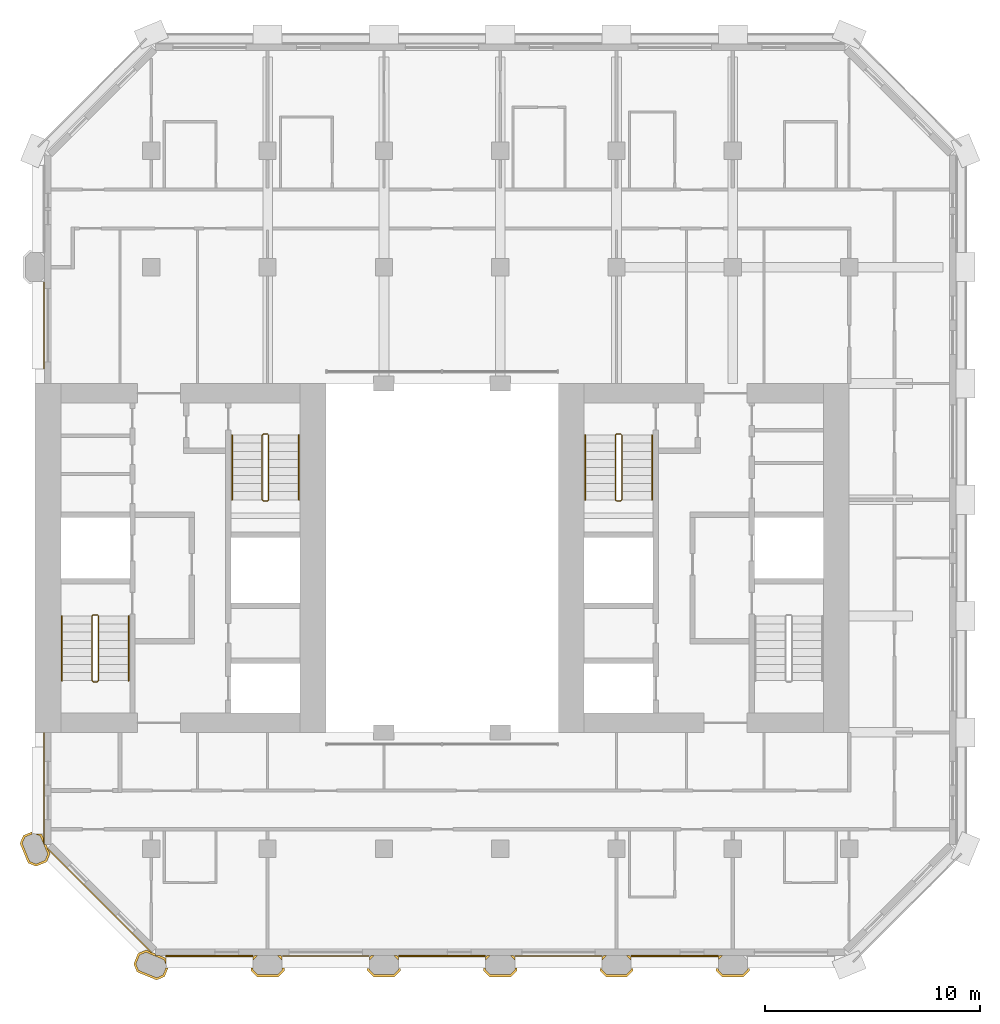
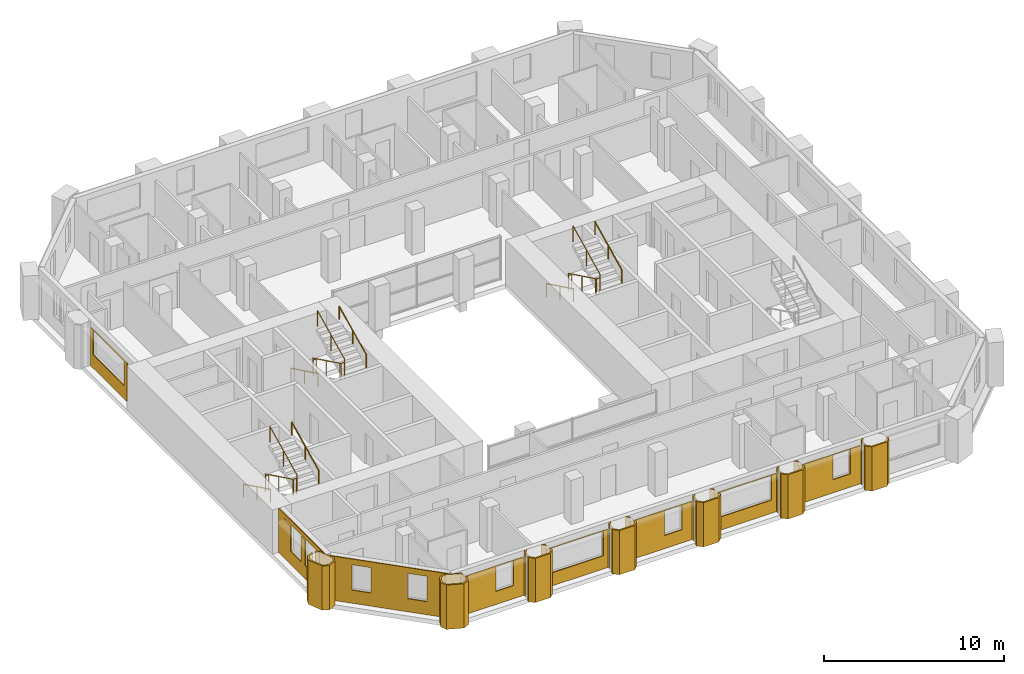
# One storey, part 10 of 12: 24 coverings, 9 railings.
"""IFC4 building model written with IfcOpenShell, lengths in metres."""

from ifc_helpers import new_model, si_unit, direction, frame, origin, origin_2d, place, context, subcontext, project, spatial, polyline, circle, outline, extrude, material, layer, layer_set, type_object, element, save


model = new_model("IFC4")

# Units and contexts
model_context = context("Model", 3, precision=1e-05, world=origin(), true_north=direction((0.0, 1.0)))
body_context = subcontext(model_context, "Body", "Model", "MODEL_VIEW")
ifc_project = project(units=[si_unit("LENGTHUNIT", "METRE"), si_unit("AREAUNIT", "SQUARE_METRE"), si_unit("VOLUMEUNIT", "CUBIC_METRE"), si_unit("PLANEANGLEUNIT", "RADIAN"), si_unit("MASSUNIT", "GRAM", prefix="KILO")], contexts=[model_context])

# Site, building, storey
site_placement = place(None, origin())
site = spatial("IfcSite", under=ifc_project, at=site_placement, CompositionType="ELEMENT")
building_placement = place(site_placement, origin())
building = spatial("IfcBuilding", under=site, at=building_placement, Name="Tabaq Tower and Sports Hall", CompositionType="ELEMENT")
storey_placement = place(building_placement, frame((0.0, 0.0, 190.60009765625)))
storey = spatial("IfcBuildingStorey", under=building, at=storey_placement, Name="L46", CompositionType="ELEMENT", Elevation=190.60009765625)

# Coverings
ifc_material_1 = material(Name="Precast concrete C60/75", Category="concrete")
ifc_layer_1 = layer(ifc_material_1, 0.10009765625)
ifc_layer_set_1 = layer_set([ifc_layer_1], Name="Column cladding 100")
covering_type_1 = type_object("IfcCoveringType", Name="Column cladding 100", PredefinedType="CLADDING", material=ifc_layer_set_1)
covering_1_placement = place(storey_placement, origin())
element("IfcCovering", 1, at=covering_1_placement, inside=storey, type_object=covering_type_1, Name="Column cladding L46 PC-2C-H2", PredefinedType="CLADDING", context=body_context, shape_type="SweptSolid", body=[
    extrude(outline(polyline([(5.450439453125, 9.982421875), (5.080078125, 10.1357421875), (4.7041015625, 11.04345703125), (4.857421875, 11.413818359375), (5.249755859375, 11.576171875), (5.249755859375, 11.474609375), (5.26416015625, 11.474609375), (4.93359375, 11.337646484375), (4.811767578125, 11.04345703125), (5.15625, 10.2119140625), (5.450439453125, 10.08984375), (5.866455078125, 10.26220703125), (5.98828125, 10.556396484375), (5.643798828125, 11.38818359375), (5.434814453125, 11.474609375), (5.694580078125, 11.474609375), (5.7197265625, 11.46435546875), (5.789794921875, 11.295654296875), (5.789794921875, 11.04296875), (5.849609375, 11.04296875), (5.849609375, 10.986083984375), (5.91796875, 10.986083984375), (5.9814453125, 10.83251953125), (5.9501953125, 10.801025390625), (6.026123046875, 10.72509765625), (6.095947265625, 10.556396484375), (5.9423828125, 10.186279296875), (5.450439453125, 9.982421875)])), origin(), (0.0, 0.0, 1.0), 3.0),
])
covering_2_placement = place(storey_placement, origin())
element("IfcCovering", 2, at=covering_2_placement, inside=storey, type_object=covering_type_1, Name="Column cladding L46 PC-3B-H2", PredefinedType="CLADDING", context=body_context, shape_type="SweptSolid", body=[
    extrude(outline(polyline([(11.413818359375, 4.857421875), (11.04345703125, 4.7041015625), (10.1357421875, 5.080078125), (9.982421875, 5.450439453125), (10.186279296875, 5.9423828125), (10.556396484375, 6.095947265625), (10.72509765625, 6.026123046875), (10.801025390625, 5.9501953125), (10.83251953125, 5.9814453125), (10.986083984375, 5.91796875), (10.986083984375, 5.849609375), (11.15087890625, 5.849609375), (11.46435546875, 5.7197265625), (11.474609375, 5.694580078125), (11.474609375, 5.434814453125), (11.38818359375, 5.643798828125), (10.556396484375, 5.98828125), (10.26220703125, 5.866455078125), (10.08984375, 5.450439453125), (10.2119140625, 5.15625), (11.04345703125, 4.811767578125), (11.337646484375, 4.93359375), (11.474609375, 5.26416015625), (11.474609375, 5.249755859375), (11.576171875, 5.249755859375), (11.413818359375, 4.857421875)])), origin(), (0.0, 0.0, 1.0), 3.0),
])
covering_3_placement = place(storey_placement, origin())
element("IfcCovering", 3, at=covering_3_placement, inside=storey, type_object=covering_type_1, Name="Column cladding L46 PC-4B-H2", PredefinedType="CLADDING", context=body_context, shape_type="SweptSolid", body=[
    extrude(outline(polyline([(15.42529296875, 5.249755859375), (15.524658203125, 5.249755859375), (15.524658203125, 5.1748046875), (15.749755859375, 4.94970703125), (16.650146484375, 4.94970703125), (16.875244140625, 5.1748046875), (16.875244140625, 5.249755859375), (16.974609375, 5.249755859375), (16.974609375, 5.1337890625), (16.69140625, 4.850341796875), (15.708740234375, 4.850341796875), (15.42529296875, 5.1337890625), (15.42529296875, 5.249755859375)])), origin(), (0.0, 0.0, 1.0), 3.0),
])
covering_4_placement = place(storey_placement, origin())
element("IfcCovering", 4, at=covering_4_placement, inside=storey, type_object=covering_type_1, Name="Column cladding L46 PC-4B-H2 2", PredefinedType="CLADDING", context=body_context, shape_type="SweptSolid", body=[
    extrude(outline(polyline([(16.874755859375, 5.766357421875), (16.874755859375, 5.625732421875), (16.650634765625, 5.849609375), (16.791259765625, 5.849609375), (16.874755859375, 5.766357421875)])), origin(), (0.0, 0.0, 1.0), 3.0),
])
covering_5_placement = place(storey_placement, origin())
element("IfcCovering", 5, at=covering_5_placement, inside=storey, type_object=covering_type_1, Name="Column cladding L46 PC-4B-H2 3", PredefinedType="CLADDING", context=body_context, shape_type="SweptSolid", body=[
    extrude(outline(polyline([(15.608642578125, 5.849609375), (15.749267578125, 5.849609375), (15.525390625, 5.625732421875), (15.525390625, 5.766357421875), (15.608642578125, 5.849609375)])), origin(), (0.0, 0.0, 1.0), 3.0),
])
covering_6_placement = place(storey_placement, origin())
element("IfcCovering", 6, at=covering_6_placement, inside=storey, type_object=covering_type_1, Name="Column cladding L46 PC-5B-H2", PredefinedType="CLADDING", context=body_context, shape_type="SweptSolid", body=[
    extrude(outline(polyline([(20.82568359375, 5.24951171875), (20.92431640625, 5.24951171875), (20.92431640625, 5.1748046875), (21.149658203125, 4.949462890625), (22.05029296875, 4.949462890625), (22.275634765625, 5.1748046875), (22.275634765625, 5.24951171875), (22.37451171875, 5.24951171875), (22.37451171875, 5.1337890625), (22.091064453125, 4.8505859375), (21.10888671875, 4.8505859375), (20.82568359375, 5.1337890625), (20.82568359375, 5.24951171875)])), origin(), (0.0, 0.0, 1.0), 3.0),
])
covering_7_placement = place(storey_placement, origin())
element("IfcCovering", 7, at=covering_7_placement, inside=storey, type_object=covering_type_1, Name="Column cladding L46 PC-5B-H2 2", PredefinedType="CLADDING", context=body_context, shape_type="SweptSolid", body=[
    extrude(outline(polyline([(22.274658203125, 5.766357421875), (22.274658203125, 5.625732421875), (22.05078125, 5.849609375), (22.19140625, 5.849609375), (22.274658203125, 5.766357421875)])), origin(), (0.0, 0.0, 1.0), 3.0),
])
covering_8_placement = place(storey_placement, origin())
element("IfcCovering", 8, at=covering_8_placement, inside=storey, type_object=covering_type_1, Name="Column cladding L46 PC-5B-H2 3", PredefinedType="CLADDING", context=body_context, shape_type="SweptSolid", body=[
    extrude(outline(polyline([(20.925537109375, 5.62646484375), (20.925537109375, 5.76611328125), (21.0087890625, 5.849365234375), (21.1484375, 5.849365234375), (20.925537109375, 5.62646484375)])), origin(), (0.0, 0.0, 1.0), 3.0),
])
covering_9_placement = place(storey_placement, origin())
element("IfcCovering", 9, at=covering_9_placement, inside=storey, type_object=covering_type_1, Name="Column cladding L46 PC-6B-H2", PredefinedType="CLADDING", context=body_context, shape_type="SweptSolid", body=[
    extrude(outline(polyline([(26.225341796875, 5.249755859375), (26.32470703125, 5.249755859375), (26.32470703125, 5.1748046875), (26.5498046875, 4.94970703125), (27.4501953125, 4.94970703125), (27.67529296875, 5.1748046875), (27.67529296875, 5.249755859375), (27.774658203125, 5.249755859375), (27.774658203125, 5.1337890625), (27.4912109375, 4.850341796875), (26.5087890625, 4.850341796875), (26.225341796875, 5.1337890625), (26.225341796875, 5.249755859375)])), origin(), (0.0, 0.0, 1.0), 3.0),
])
covering_10_placement = place(storey_placement, origin())
element("IfcCovering", 10, at=covering_10_placement, inside=storey, type_object=covering_type_1, Name="Column cladding L46 PC-6B-H2 2", PredefinedType="CLADDING", context=body_context, shape_type="SweptSolid", body=[
    extrude(outline(polyline([(26.40869140625, 5.849609375), (26.54931640625, 5.849609375), (26.3251953125, 5.625732421875), (26.3251953125, 5.766357421875), (26.40869140625, 5.849609375)])), origin(), (0.0, 0.0, 1.0), 3.0),
])
covering_11_placement = place(storey_placement, origin())
element("IfcCovering", 11, at=covering_11_placement, inside=storey, type_object=covering_type_1, Name="Column cladding L46 PC-6B-H2 3", PredefinedType="CLADDING", context=body_context, shape_type="SweptSolid", body=[
    extrude(outline(polyline([(27.6748046875, 5.766357421875), (27.6748046875, 5.625732421875), (27.45068359375, 5.849609375), (27.59130859375, 5.849609375), (27.6748046875, 5.766357421875)])), origin(), (0.0, 0.0, 1.0), 3.0),
])
covering_12_placement = place(storey_placement, origin())
element("IfcCovering", 12, at=covering_12_placement, inside=storey, type_object=covering_type_1, Name="Column cladding L46 PC-7B-H2", PredefinedType="CLADDING", context=body_context, shape_type="SweptSolid", body=[
    extrude(outline(polyline([(31.62548828125, 5.24951171875), (31.724365234375, 5.24951171875), (31.724365234375, 5.1748046875), (31.94970703125, 4.949462890625), (32.850341796875, 4.949462890625), (33.07568359375, 5.1748046875), (33.07568359375, 5.24951171875), (33.17431640625, 5.24951171875), (33.17431640625, 5.1337890625), (32.89111328125, 4.8505859375), (31.908935546875, 4.8505859375), (31.62548828125, 5.1337890625), (31.62548828125, 5.24951171875)])), origin(), (0.0, 0.0, 1.0), 3.0),
])
covering_13_placement = place(storey_placement, origin())
element("IfcCovering", 13, at=covering_13_placement, inside=storey, type_object=covering_type_1, Name="Column cladding L46 PC-7B-H2 2", PredefinedType="CLADDING", context=body_context, shape_type="SweptSolid", body=[
    extrude(outline(polyline([(31.80859375, 5.849609375), (31.94921875, 5.849609375), (31.725341796875, 5.625732421875), (31.725341796875, 5.766357421875), (31.80859375, 5.849609375)])), origin(), (0.0, 0.0, 1.0), 3.0),
])
covering_14_placement = place(storey_placement, origin())
element("IfcCovering", 14, at=covering_14_placement, inside=storey, type_object=covering_type_1, Name="Column cladding L46 PC-7B-H2 3", PredefinedType="CLADDING", context=body_context, shape_type="SweptSolid", body=[
    extrude(outline(polyline([(33.074462890625, 5.62646484375), (32.8515625, 5.849365234375), (32.9912109375, 5.849365234375), (33.074462890625, 5.76611328125), (33.074462890625, 5.62646484375)])), origin(), (0.0, 0.0, 1.0), 3.0),
])
covering_15_placement = place(storey_placement, origin())
element("IfcCovering", 15, at=covering_15_placement, inside=storey, type_object=covering_type_1, Name="Column cladding L46 PC-8B-H2", PredefinedType="CLADDING", context=body_context, shape_type="SweptSolid", body=[
    extrude(outline(polyline([(37.025634765625, 5.24951171875), (37.12451171875, 5.24951171875), (37.12451171875, 5.1748046875), (37.349853515625, 4.949462890625), (38.250244140625, 4.949462890625), (38.4755859375, 5.1748046875), (38.4755859375, 5.24951171875), (38.574462890625, 5.24951171875), (38.574462890625, 5.1337890625), (38.291259765625, 4.8505859375), (37.308837890625, 4.8505859375), (37.025634765625, 5.1337890625), (37.025634765625, 5.24951171875)])), origin(), (0.0, 0.0, 1.0), 3.0),
])
covering_16_placement = place(storey_placement, origin())
element("IfcCovering", 16, at=covering_16_placement, inside=storey, type_object=covering_type_1, Name="Column cladding L46 PC-8B-H2 2", PredefinedType="CLADDING", context=body_context, shape_type="SweptSolid", body=[
    extrude(outline(polyline([(37.208740234375, 5.849609375), (37.349365234375, 5.849609375), (37.125244140625, 5.625732421875), (37.125244140625, 5.766357421875), (37.208740234375, 5.849609375)])), origin(), (0.0, 0.0, 1.0), 3.0),
])

# Railings
ifc_material_2 = material(Name="Stainless steel", Category="steel")
railing_type_1 = type_object("IfcRailingType", Name="Stair guard", PredefinedType="GUARDRAIL", material=ifc_material_2)
railing_1_placement = place(storey_placement, frame((8.300048828125, 21.64990234375, 0.0)))
element("IfcRailing", 17, at=railing_1_placement, inside=storey, type_object=railing_type_1, Name="L46 ST1 stair guard 1", PredefinedType="GUARDRAIL", context=body_context, shape_type="SweptSolid", body=[
    extrude(circle(Radius=0.02392578125, at=origin_2d()), frame((0.0, 0.0, 1.076171875), z_axis=(-1.0, 0.0, 0.0), x_axis=(0.0, -1.0, 0.0)), (0.0, 0.0, 1.0), 0.199951171875),
    extrude(circle(Radius=0.02392578125, at=origin_2d()), frame((-0.199951171875, 0.0, 1.076171875), z_axis=(-0.254733673405, -0.25349107012, 0.933195066962), x_axis=(0.705375805398, -0.708833529934, 0.0)), (0.0, 0.0, 1.0), 0.196533203125),
    extrude(circle(Radius=0.02392578125, at=origin_2d()), frame((-0.25, -0.0498046875, 1.25927734375), z_axis=(0.0, -0.898397823093, 0.439182594671), x_axis=(1.0, 0.0, 0.0)), (0.0, 0.0, 1.0), 3.33935546875),
    extrude(circle(Radius=0.02392578125, at=origin_2d()), frame((-0.25, -3.0498046875, 2.72607421875), z_axis=(0.707106781187, -0.707106781187, 0.0), x_axis=(0.707106781187, 0.707106781187, 0.0)), (0.0, 0.0, 1.0), 0.07080078125),
    extrude(circle(Radius=0.02392578125, at=origin_2d()), frame((-0.199951171875, -3.099853515625, 2.72607421875), z_axis=(1.0, 0.0, 0.0), x_axis=(0.0, 1.0, 0.0)), (0.0, 0.0, 1.0), 0.199951171875),
    extrude(circle(Radius=0.02392578125, at=origin_2d()), frame((0.0, -3.099853515625, 2.72607421875), z_axis=(0.254653276557, 0.254653276557, 0.932900539971), x_axis=(-0.707106781187, 0.707106781187, 0.0)), (0.0, 0.0, 1.0), 0.196533203125),
    extrude(circle(Radius=0.02392578125, at=origin_2d()), frame((0.050048828125, -3.0498046875, 2.9091796875), z_axis=(0.0, 0.898397823093, 0.439182594671), x_axis=(-1.0, 0.0, 0.0)), (0.0, 0.0, 1.0), 3.33935546875),
    extrude(circle(Radius=0.02099609375, at=origin_2d()), origin(), (0.0, 0.0, 1.0), 1.052001953125),
    extrude(circle(Radius=0.02099609375, at=origin_2d()), frame((-0.199951171875, 0.0, 0.0)), (0.0, 0.0, 1.0), 1.052001953125),
    extrude(circle(Radius=0.02099609375, at=origin_2d()), frame((-0.25, -0.0498046875, 0.183349609375)), (0.0, 0.0, 1.0), 1.052001953125),
    extrude(circle(Radius=0.02099609375, at=origin_2d()), frame((-0.25, -1.5498046875, 0.91650390625)), (0.0, 0.0, 1.0), 1.052001953125),
    extrude(circle(Radius=0.02099609375, at=origin_2d()), frame((-0.25, -3.0498046875, 1.64990234375)), (0.0, 0.0, 1.0), 1.052001953125),
    extrude(circle(Radius=0.02099609375, at=origin_2d()), frame((-0.199951171875, -3.099853515625, 1.64990234375)), (0.0, 0.0, 1.0), 1.052001953125),
    extrude(circle(Radius=0.02099609375, at=origin_2d()), frame((0.0, -3.099853515625, 1.64990234375)), (0.0, 0.0, 1.0), 1.052001953125),
    extrude(circle(Radius=0.02099609375, at=origin_2d()), frame((0.050048828125, -3.0498046875, 1.833251953125)), (0.0, 0.0, 1.0), 1.052001953125),
    extrude(circle(Radius=0.02099609375, at=origin_2d()), frame((0.050048828125, -1.5498046875, 2.56640625)), (0.0, 0.0, 1.0), 1.052001953125),
    extrude(circle(Radius=0.02099609375, at=origin_2d()), frame((0.050048828125, -0.0498046875, 3.2998046875)), (0.0, 0.0, 1.0), 1.052001953125),
])
railing_2_placement = place(storey_placement, frame((16.199951171875, 30.050048828125, 0.0)))
element("IfcRailing", 18, at=railing_2_placement, inside=storey, type_object=railing_type_1, Name="L46 ST2 stair guard 1", PredefinedType="GUARDRAIL", context=body_context, shape_type="SweptSolid", body=[
    extrude(circle(Radius=0.02392578125, at=origin_2d()), frame((0.0, 0.0, 1.076171875), z_axis=(-1.0, 0.0, 0.0), x_axis=(0.0, -1.0, 0.0)), (0.0, 0.0, 1.0), 0.199951171875),
    extrude(circle(Radius=0.02392578125, at=origin_2d()), frame((-0.199951171875, 0.0, 1.076171875), z_axis=(-0.254653276557, -0.254653276557, 0.932900539971), x_axis=(0.707106781187, -0.707106781187, 0.0)), (0.0, 0.0, 1.0), 0.196533203125),
    extrude(circle(Radius=0.02392578125, at=origin_2d()), frame((-0.25, -0.050048828125, 1.25927734375), z_axis=(0.0, -0.898397823093, 0.439182594671), x_axis=(1.0, 0.0, 0.0)), (0.0, 0.0, 1.0), 3.33935546875),
    extrude(circle(Radius=0.02392578125, at=origin_2d()), frame((-0.25, -3.050048828125, 2.72607421875), z_axis=(0.707106781187, -0.707106781187, 0.0), x_axis=(0.707106781187, 0.707106781187, 0.0)), (0.0, 0.0, 1.0), 0.07080078125),
    extrude(circle(Radius=0.02392578125, at=origin_2d()), frame((-0.199951171875, -3.10009765625, 2.72607421875), z_axis=(1.0, 0.0, 0.0), x_axis=(0.0, 1.0, 0.0)), (0.0, 0.0, 1.0), 0.199951171875),
    extrude(circle(Radius=0.02392578125, at=origin_2d()), frame((0.0, -3.10009765625, 2.72607421875), z_axis=(0.254653276557, 0.254653276557, 0.932900539971), x_axis=(-0.707106781187, 0.707106781187, 0.0)), (0.0, 0.0, 1.0), 0.196533203125),
    extrude(circle(Radius=0.02392578125, at=origin_2d()), frame((0.050048828125, -3.050048828125, 2.9091796875), z_axis=(0.0, 0.898397823093, 0.439182594671), x_axis=(-1.0, 0.0, 0.0)), (0.0, 0.0, 1.0), 3.33935546875),
    extrude(circle(Radius=0.02099609375, at=origin_2d()), origin(), (0.0, 0.0, 1.0), 1.052001953125),
    extrude(circle(Radius=0.02099609375, at=origin_2d()), frame((-0.199951171875, 0.0, 0.0)), (0.0, 0.0, 1.0), 1.052001953125),
    extrude(circle(Radius=0.02099609375, at=origin_2d()), frame((-0.25, -0.050048828125, 0.183349609375)), (0.0, 0.0, 1.0), 1.052001953125),
    extrude(circle(Radius=0.02099609375, at=origin_2d()), frame((-0.25, -1.550048828125, 0.91650390625)), (0.0, 0.0, 1.0), 1.052001953125),
    extrude(circle(Radius=0.02099609375, at=origin_2d()), frame((-0.25, -3.050048828125, 1.64990234375)), (0.0, 0.0, 1.0), 1.052001953125),
    extrude(circle(Radius=0.02099609375, at=origin_2d()), frame((-0.199951171875, -3.10009765625, 1.64990234375)), (0.0, 0.0, 1.0), 1.052001953125),
    extrude(circle(Radius=0.02099609375, at=origin_2d()), frame((0.0, -3.10009765625, 1.64990234375)), (0.0, 0.0, 1.0), 1.052001953125),
    extrude(circle(Radius=0.02099609375, at=origin_2d()), frame((0.050048828125, -3.050048828125, 1.833251953125)), (0.0, 0.0, 1.0), 1.052001953125),
    extrude(circle(Radius=0.02099609375, at=origin_2d()), frame((0.050048828125, -1.550048828125, 2.56640625)), (0.0, 0.0, 1.0), 1.052001953125),
    extrude(circle(Radius=0.02099609375, at=origin_2d()), frame((0.050048828125, -0.050048828125, 3.2998046875)), (0.0, 0.0, 1.0), 1.052001953125),
])
railing_3_placement = place(storey_placement, frame((32.60009765625, 30.050048828125, 0.0)))
element("IfcRailing", 19, at=railing_3_placement, inside=storey, type_object=railing_type_1, Name="L46 ST4 stair guard 1", PredefinedType="GUARDRAIL", context=body_context, shape_type="SweptSolid", body=[
    extrude(circle(Radius=0.02392578125, at=origin_2d()), frame((0.0, 0.0, 1.076171875), z_axis=(-1.0, 0.0, 0.0), x_axis=(0.0, -1.0, 0.0)), (0.0, 0.0, 1.0), 0.2001953125),
    extrude(circle(Radius=0.02392578125, at=origin_2d()), frame((-0.2001953125, 0.0, 1.076171875), z_axis=(-0.25349107012, -0.254733673405, 0.933195066962), x_axis=(0.708833529934, -0.705375805398, 0.0)), (0.0, 0.0, 1.0), 0.196533203125),
    extrude(circle(Radius=0.02392578125, at=origin_2d()), frame((-0.25, -0.050048828125, 1.25927734375), z_axis=(0.0, -0.898397823093, 0.439182594671), x_axis=(1.0, 0.0, 0.0)), (0.0, 0.0, 1.0), 3.33935546875),
    extrude(circle(Radius=0.02392578125, at=origin_2d()), frame((-0.25, -3.050048828125, 2.72607421875), z_axis=(0.705375805398, -0.708833529934, 0.0), x_axis=(0.708833529934, 0.705375805398, 0.0)), (0.0, 0.0, 1.0), 0.070556640625),
    extrude(circle(Radius=0.02392578125, at=origin_2d()), frame((-0.2001953125, -3.10009765625, 2.72607421875), z_axis=(1.0, 0.0, 0.0), x_axis=(0.0, 1.0, 0.0)), (0.0, 0.0, 1.0), 0.2001953125),
    extrude(circle(Radius=0.02392578125, at=origin_2d()), frame((0.0, -3.10009765625, 2.72607421875), z_axis=(0.25349107012, 0.254733673405, 0.933195066962), x_axis=(-0.708833529934, 0.705375805398, 0.0)), (0.0, 0.0, 1.0), 0.196533203125),
    extrude(circle(Radius=0.02392578125, at=origin_2d()), frame((0.0498046875, -3.050048828125, 2.9091796875), z_axis=(0.0, 0.898397823093, 0.439182594671), x_axis=(-1.0, 0.0, 0.0)), (0.0, 0.0, 1.0), 3.33935546875),
    extrude(circle(Radius=0.02099609375, at=origin_2d()), origin(), (0.0, 0.0, 1.0), 1.052001953125),
    extrude(circle(Radius=0.02099609375, at=origin_2d()), frame((-0.2001953125, 0.0, 0.0)), (0.0, 0.0, 1.0), 1.052001953125),
    extrude(circle(Radius=0.02099609375, at=origin_2d()), frame((-0.25, -0.050048828125, 0.183349609375)), (0.0, 0.0, 1.0), 1.052001953125),
    extrude(circle(Radius=0.02099609375, at=origin_2d()), frame((-0.25, -1.550048828125, 0.91650390625)), (0.0, 0.0, 1.0), 1.052001953125),
    extrude(circle(Radius=0.02099609375, at=origin_2d()), frame((-0.25, -3.050048828125, 1.64990234375)), (0.0, 0.0, 1.0), 1.052001953125),
    extrude(circle(Radius=0.02099609375, at=origin_2d()), frame((-0.2001953125, -3.10009765625, 1.64990234375)), (0.0, 0.0, 1.0), 1.052001953125),
    extrude(circle(Radius=0.02099609375, at=origin_2d()), frame((0.0, -3.10009765625, 1.64990234375)), (0.0, 0.0, 1.0), 1.052001953125),
    extrude(circle(Radius=0.02099609375, at=origin_2d()), frame((0.0498046875, -3.050048828125, 1.833251953125)), (0.0, 0.0, 1.0), 1.052001953125),
    extrude(circle(Radius=0.02099609375, at=origin_2d()), frame((0.0498046875, -1.550048828125, 2.56640625)), (0.0, 0.0, 1.0), 1.052001953125),
    extrude(circle(Radius=0.02099609375, at=origin_2d()), frame((0.0498046875, -0.050048828125, 3.2998046875)), (0.0, 0.0, 1.0), 1.052001953125),
])
ifc_material_3 = material(Name="Stainless steel", Category="steel")
railing_type_2 = type_object("IfcRailingType", Name="Stair handrail", PredefinedType="HANDRAIL", material=ifc_material_3)
railing_4_placement = place(storey_placement, frame((6.64990234375, 21.60009765625, 0.183349609375)))
element("IfcRailing", 20, at=railing_4_placement, inside=storey, type_object=railing_type_2, Name="L46 ST1 stair handrail 1", PredefinedType="HANDRAIL", context=body_context, shape_type="SweptSolid", body=[
    extrude(circle(Radius=0.02392578125, at=origin_2d()), frame((0.0, 0.0, 0.8759765625), z_axis=(0.0, -0.898397823093, 0.439182594671), x_axis=(1.0, 0.0, 0.0)), (0.0, 0.0, 1.0), 3.33935546875),
    extrude(circle(Radius=0.02099609375, at=origin_2d()), origin(), (0.0, 0.0, 1.0), 0.851806640625),
    extrude(circle(Radius=0.02099609375, at=origin_2d()), frame((0.0, -1.5, 0.7333984375)), (0.0, 0.0, 1.0), 0.851806640625),
    extrude(circle(Radius=0.02099609375, at=origin_2d()), frame((0.0, -3.0, 1.466552734375)), (0.0, 0.0, 1.0), 0.851806640625),
])
railing_5_placement = place(storey_placement, frame((9.75, 18.60009765625, 1.833251953125)))
element("IfcRailing", 21, at=railing_5_placement, inside=storey, type_object=railing_type_2, Name="L46 ST1 stair handrail 2", PredefinedType="HANDRAIL", context=body_context, shape_type="SweptSolid", body=[
    extrude(circle(Radius=0.02392578125, at=origin_2d()), frame((0.0, 0.0, 0.8759765625), z_axis=(0.0, 0.898397823093, 0.439182594671), x_axis=(-1.0, 0.0, 0.0)), (0.0, 0.0, 1.0), 3.33935546875),
    extrude(circle(Radius=0.02099609375, at=origin_2d()), origin(), (0.0, 0.0, 1.0), 0.851806640625),
    extrude(circle(Radius=0.02099609375, at=origin_2d()), frame((0.0, 1.5, 0.7333984375)), (0.0, 0.0, 1.0), 0.851806640625),
    extrude(circle(Radius=0.02099609375, at=origin_2d()), frame((0.0, 3.0, 1.466552734375)), (0.0, 0.0, 1.0), 0.851806640625),
])
railing_6_placement = place(storey_placement, frame((14.550048828125, 30.0, 0.183349609375)))
element("IfcRailing", 22, at=railing_6_placement, inside=storey, type_object=railing_type_2, Name="L46 ST2 stair handrail 1", PredefinedType="HANDRAIL", context=body_context, shape_type="SweptSolid", body=[
    extrude(circle(Radius=0.02392578125, at=origin_2d()), frame((0.0, 0.0, 0.8759765625), z_axis=(0.0, -0.898397823093, 0.439182594671), x_axis=(1.0, 0.0, 0.0)), (0.0, 0.0, 1.0), 3.33935546875),
    extrude(circle(Radius=0.02099609375, at=origin_2d()), origin(), (0.0, 0.0, 1.0), 0.851806640625),
    extrude(circle(Radius=0.02099609375, at=origin_2d()), frame((0.0, -1.5, 0.7333984375)), (0.0, 0.0, 1.0), 0.851806640625),
    extrude(circle(Radius=0.02099609375, at=origin_2d()), frame((0.0, -3.0, 1.466552734375)), (0.0, 0.0, 1.0), 0.851806640625),
])
railing_7_placement = place(storey_placement, frame((17.64990234375, 27.0, 1.833251953125)))
element("IfcRailing", 23, at=railing_7_placement, inside=storey, type_object=railing_type_2, Name="L46 ST2 stair handrail 2", PredefinedType="HANDRAIL", context=body_context, shape_type="SweptSolid", body=[
    extrude(circle(Radius=0.02392578125, at=origin_2d()), frame((0.0, 0.0, 0.8759765625), z_axis=(0.0, 0.898397823093, 0.439182594671), x_axis=(-1.0, 0.0, 0.0)), (0.0, 0.0, 1.0), 3.33935546875),
    extrude(circle(Radius=0.02099609375, at=origin_2d()), origin(), (0.0, 0.0, 1.0), 0.851806640625),
    extrude(circle(Radius=0.02099609375, at=origin_2d()), frame((0.0, 1.5, 0.7333984375)), (0.0, 0.0, 1.0), 0.851806640625),
    extrude(circle(Radius=0.02099609375, at=origin_2d()), frame((0.0, 3.0, 1.466552734375)), (0.0, 0.0, 1.0), 0.851806640625),
])
railing_8_placement = place(storey_placement, frame((30.949951171875, 30.0, 0.183349609375)))
element("IfcRailing", 24, at=railing_8_placement, inside=storey, type_object=railing_type_2, Name="L46 ST4 stair handrail 1", PredefinedType="HANDRAIL", context=body_context, shape_type="SweptSolid", body=[
    extrude(circle(Radius=0.02392578125, at=origin_2d()), frame((0.0, 0.0, 0.8759765625), z_axis=(0.0, -0.898397823093, 0.439182594671), x_axis=(1.0, 0.0, 0.0)), (0.0, 0.0, 1.0), 3.33935546875),
    extrude(circle(Radius=0.02099609375, at=origin_2d()), origin(), (0.0, 0.0, 1.0), 0.851806640625),
    extrude(circle(Radius=0.02099609375, at=origin_2d()), frame((0.0, -1.5, 0.7333984375)), (0.0, 0.0, 1.0), 0.851806640625),
    extrude(circle(Radius=0.02099609375, at=origin_2d()), frame((0.0, -3.0, 1.466552734375)), (0.0, 0.0, 1.0), 0.851806640625),
])
railing_9_placement = place(storey_placement, frame((34.050048828125, 27.0, 1.833251953125)))
element("IfcRailing", 25, at=railing_9_placement, inside=storey, type_object=railing_type_2, Name="L46 ST4 stair handrail 2", PredefinedType="HANDRAIL", context=body_context, shape_type="SweptSolid", body=[
    extrude(circle(Radius=0.02392578125, at=origin_2d()), frame((0.0, 0.0, 0.8759765625), z_axis=(0.0, 0.898397823093, 0.439182594671), x_axis=(-1.0, 0.0, 0.0)), (0.0, 0.0, 1.0), 3.33935546875),
    extrude(circle(Radius=0.02099609375, at=origin_2d()), origin(), (0.0, 0.0, 1.0), 0.851806640625),
    extrude(circle(Radius=0.02099609375, at=origin_2d()), frame((0.0, 1.5, 0.7333984375)), (0.0, 0.0, 1.0), 0.851806640625),
    extrude(circle(Radius=0.02099609375, at=origin_2d()), frame((0.0, 3.0, 1.466552734375)), (0.0, 0.0, 1.0), 0.851806640625),
])

# Coverings
ifc_material_4 = material(Name="Precast concrete C60/75", Category="concrete")
ifc_layer_2 = layer(ifc_material_4, 0.06005859375)
ifc_layer_set_2 = layer_set([ifc_layer_2], Name="White precast cladding panel 60 C60/75")
covering_type_2 = type_object("IfcCoveringType", Name="White precast cladding panel 60 C60/75", PredefinedType="CLADDING", material=ifc_layer_set_2)
covering_17_placement = place(storey_placement, frame((11.465087890625, 5.820068359375, 0.0), z_axis=(0.0, 0.0, 1.0), x_axis=(1.0, 0.0, 0.0)))
element("IfcCovering", 26, at=covering_17_placement, inside=storey, type_object=covering_type_2, Name="White precast cladding panel L46 wall00", PredefinedType="CLADDING", context=body_context, shape_type="SweptSolid", body=[
    extrude(outline(polyline([(0.0, 0.0), (4.0498046875, 0.0), (4.0498046875, 2.58984375), (0.0, 2.58984375), (0.0, 0.0)]), holes=[polyline([(3.39501953125, 0.889892578125), (2.27490234375, 0.889892578125), (2.27490234375, 2.559814453125), (3.39501953125, 2.559814453125), (3.39501953125, 0.889892578125)])]), frame((0.0, 0.030029296875, 0.0), z_axis=(0.0, -1.0, 0.0), x_axis=(1.0, 0.0, 0.0)), (0.0, 0.0, 1.0), 0.06005859375),
])
covering_18_placement = place(storey_placement, frame((16.885009765625, 5.820068359375, 0.0), z_axis=(0.0, 0.0, 1.0), x_axis=(1.0, 0.0, 0.0)))
element("IfcCovering", 27, at=covering_18_placement, inside=storey, type_object=covering_type_2, Name="White precast cladding panel L46 wall00 2", PredefinedType="CLADDING", context=body_context, shape_type="SweptSolid", body=[
    extrude(outline(polyline([(0.0, 0.0), (4.030029296875, 0.0), (4.030029296875, 2.58984375), (0.0, 2.58984375), (0.0, 0.0)]), holes=[polyline([(3.72509765625, 0.889892578125), (0.304931640625, 0.889892578125), (0.304931640625, 2.559814453125), (3.72509765625, 2.559814453125), (3.72509765625, 0.889892578125)])]), frame((0.0, 0.030029296875, 0.0), z_axis=(0.0, -1.0, 0.0), x_axis=(1.0, 0.0, 0.0)), (0.0, 0.0, 1.0), 0.06005859375),
])
covering_19_placement = place(storey_placement, frame((22.284912109375, 5.820068359375, 0.0), z_axis=(0.0, 0.0, 1.0), x_axis=(1.0, 0.0, 0.0)))
element("IfcCovering", 28, at=covering_19_placement, inside=storey, type_object=covering_type_2, Name="White precast cladding panel L46 wall00 3", PredefinedType="CLADDING", context=body_context, shape_type="SweptSolid", body=[
    extrude(outline(polyline([(0.0, 0.0), (4.030029296875, 0.0), (4.030029296875, 2.58984375), (0.0, 2.58984375), (0.0, 0.0)]), holes=[polyline([(3.375, 0.889892578125), (2.2548828125, 0.889892578125), (2.2548828125, 2.559814453125), (3.375, 2.559814453125), (3.375, 0.889892578125)])]), frame((0.0, 0.030029296875, 0.0), z_axis=(0.0, -1.0, 0.0), x_axis=(1.0, 0.0, 0.0)), (0.0, 0.0, 1.0), 0.06005859375),
])
covering_20_placement = place(storey_placement, frame((27.68505859375, 5.820068359375, 0.0), z_axis=(0.0, 0.0, 1.0), x_axis=(1.0, 0.0, 0.0)))
element("IfcCovering", 29, at=covering_20_placement, inside=storey, type_object=covering_type_2, Name="White precast cladding panel L46 wall00 4", PredefinedType="CLADDING", context=body_context, shape_type="SweptSolid", body=[
    extrude(outline(polyline([(0.0, 0.0), (4.030029296875, 0.0), (4.030029296875, 2.58984375), (0.0, 2.58984375), (0.0, 0.0)]), holes=[polyline([(3.72509765625, 0.889892578125), (0.304931640625, 0.889892578125), (0.304931640625, 2.559814453125), (3.72509765625, 2.559814453125), (3.72509765625, 0.889892578125)])]), frame((0.0, 0.030029296875, 0.0), z_axis=(0.0, -1.0, 0.0), x_axis=(1.0, 0.0, 0.0)), (0.0, 0.0, 1.0), 0.06005859375),
])
covering_21_placement = place(storey_placement, frame((33.0849609375, 5.820068359375, 0.0), z_axis=(0.0, 0.0, 1.0), x_axis=(1.0, 0.0, 0.0)))
element("IfcCovering", 30, at=covering_21_placement, inside=storey, type_object=covering_type_2, Name="White precast cladding panel L46 wall00 5", PredefinedType="CLADDING", context=body_context, shape_type="SweptSolid", body=[
    extrude(outline(polyline([(0.0, 0.0), (4.030029296875, 0.0), (4.030029296875, 2.58984375), (0.0, 2.58984375), (0.0, 0.0)]), holes=[polyline([(3.375, 0.889892578125), (2.2548828125, 0.889892578125), (2.2548828125, 2.559814453125), (3.375, 2.559814453125), (3.375, 0.889892578125)])]), frame((0.0, 0.030029296875, 0.0), z_axis=(0.0, -1.0, 0.0), x_axis=(1.0, 0.0, 0.0)), (0.0, 0.0, 1.0), 0.06005859375),
])
covering_22_placement = place(storey_placement, frame((5.820068359375, 37.114990234375, 0.0), z_axis=(0.0, 0.0, 1.0), x_axis=(0.0, -1.0, 0.0)))
element("IfcCovering", 31, at=covering_22_placement, inside=storey, type_object=covering_type_2, Name="White precast cladding panel L46 wall06 2", PredefinedType="CLADDING", context=body_context, shape_type="SweptSolid", body=[
    extrude(outline(polyline([(0.0, 0.0), (4.050048828125, 0.0), (4.050048828125, 2.58984375), (0.0, 2.58984375), (0.0, 0.0)]), holes=[polyline([(3.72509765625, 0.889892578125), (0.304931640625, 0.889892578125), (0.304931640625, 2.559814453125), (3.72509765625, 2.559814453125), (3.72509765625, 0.889892578125)])]), frame((0.0, 0.030029296875, 0.0), z_axis=(0.0, -1.0, 0.0), x_axis=(1.0, 0.0, 0.0)), (0.0, 0.0, 1.0), 0.06005859375),
])
covering_23_placement = place(storey_placement, frame((5.820068359375, 16.199951171875, 0.0), z_axis=(0.0, 0.0, 1.0), x_axis=(0.0, -1.0, 0.0)))
element("IfcCovering", 32, at=covering_23_placement, inside=storey, type_object=covering_type_2, Name="White precast cladding panel L46 wall06-1", PredefinedType="CLADDING", context=body_context, shape_type="SweptSolid", body=[
    extrude(outline(polyline([(0.0, 0.0), (5.15673828125, 0.0), (5.15673828125, 3.0), (0.0, 3.0), (0.0, 0.0)]), holes=[polyline([(1.340087890625, 2.58984375), (0.6650390625, 2.58984375), (0.6650390625, 2.7099609375), (4.735107421875, 2.7099609375), (4.735107421875, 2.58984375), (4.06005859375, 2.58984375), (4.06005859375, 0.889892578125), (2.93994140625, 0.889892578125), (2.93994140625, 2.58984375), (2.4599609375, 2.58984375), (2.4599609375, 0.889892578125), (1.340087890625, 0.889892578125), (1.340087890625, 2.58984375)])]), frame((0.0, 0.030029296875, 0.0), z_axis=(0.0, -1.0, 0.0), x_axis=(1.0, 0.0, 0.0)), (0.0, 0.0, 1.0), 0.06005859375),
])
covering_24_placement = place(storey_placement, frame((5.9716796875, 10.822265625, 0.0), z_axis=(0.0, 0.0, 1.0), x_axis=(0.707106781187, -0.707106781187, 0.0)))
element("IfcCovering", 33, at=covering_24_placement, inside=storey, type_object=covering_type_2, Name="White precast cladding panel L46 wall07", PredefinedType="CLADDING", context=body_context, shape_type="SweptSolid", body=[
    extrude(outline(polyline([(0.0, 0.0), (6.85986328125, 0.0), (6.85986328125, 3.0), (0.0, 3.0), (0.0, 0.0)]), holes=[polyline([(1.269775390625, 2.60986328125), (2.389892578125, 2.60986328125), (2.389892578125, 0.889892578125), (1.269775390625, 0.889892578125), (1.269775390625, 2.60986328125)]), polyline([(4.4697265625, 2.60986328125), (5.58984375, 2.60986328125), (5.58984375, 0.889892578125), (4.4697265625, 0.889892578125), (4.4697265625, 2.60986328125)])]), frame((0.0, 0.030029296875, 0.0), z_axis=(0.0, -1.0, 0.0), x_axis=(1.0, 0.0, 0.0)), (0.0, 0.0, 1.0), 0.06005859375),
])

save(model, "model.ifc")
